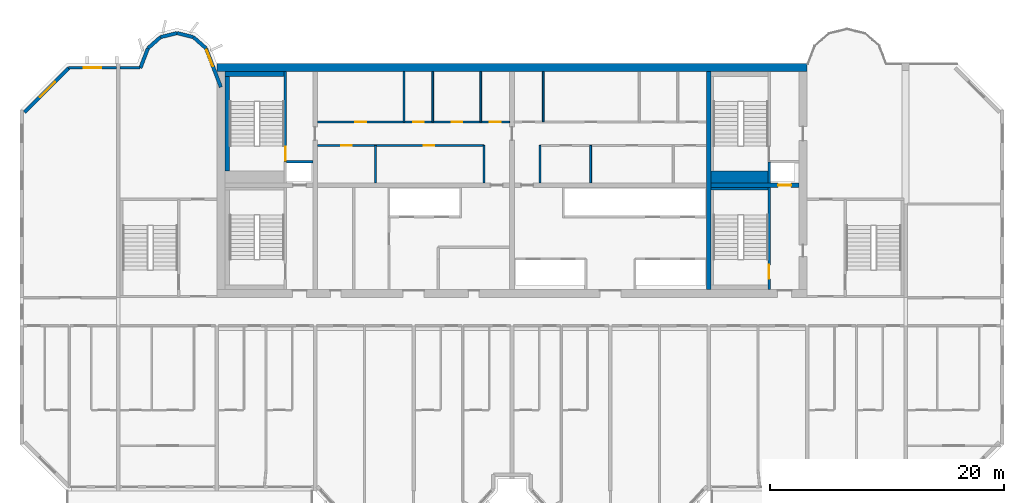
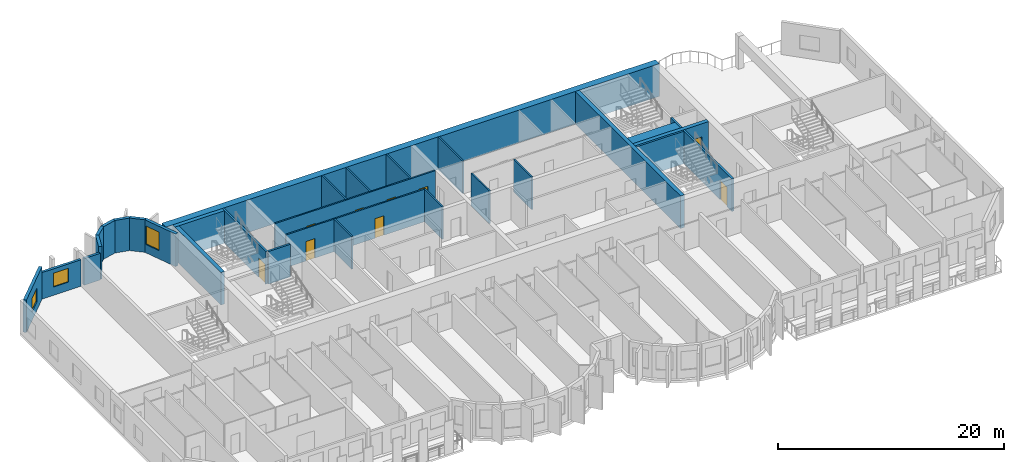
# One storey, part 7 of 13: 30 walls, 9 doors, 3 windows, 12 openings.
"""IFC4 building model written with IfcOpenShell, lengths in metres."""

from ifc_helpers import new_model, si_unit, direction, frame, frame_2d, origin, place, context, subcontext, project, spatial, rectangle, extrude, source, transform, mapped, material, layer, layer_set, type_object, element, fill, save


model = new_model("IFC4")

# Units and contexts
model_context = context("Model", 3, precision=1e-05, world=origin(), true_north=direction((0.0, 1.0)))
body_context = subcontext(model_context, "Body", "Model", "MODEL_VIEW")
ifc_project = project(units=[si_unit("LENGTHUNIT", "METRE"), si_unit("AREAUNIT", "SQUARE_METRE"), si_unit("VOLUMEUNIT", "CUBIC_METRE"), si_unit("PLANEANGLEUNIT", "RADIAN"), si_unit("MASSUNIT", "GRAM", prefix="KILO")], contexts=[model_context])

# Site, building, storey
site_placement = place(None, origin())
site = spatial("IfcSite", under=ifc_project, at=site_placement, CompositionType="ELEMENT")
building_placement = place(site_placement, origin())
building = spatial("IfcBuilding", under=site, at=building_placement, Name="Vanashikhar Sky Hotel", CompositionType="ELEMENT")
storey_placement = place(building_placement, frame((0.0, 0.0, 170.60009765625)))
storey = spatial("IfcBuildingStorey", under=building, at=storey_placement, Name="L41", CompositionType="ELEMENT", Elevation=170.60009765625)

# Walls
ifc_material_1 = material(Name="Concrete M60", Category="concrete")
ifc_layer_1 = layer(ifc_material_1, 0.39990234375)
ifc_layer_set_1 = layer_set([ifc_layer_1], Name="RC core inner wall 400 Concrete M60")
wall_type_1 = type_object("IfcWallType", Name="RC core inner wall 400 Concrete M60", PredefinedType="SHEAR", material=ifc_layer_set_1)
shared_shape_1 = source(origin(), body_context, "Body", "SweptSolid", [
    extrude(rectangle(XDim=18.60009765625, YDim=0.39990234375, at=frame_2d((9.300048828125, 0.0))), origin(), (0.0, 0.0, 1.0), 3.52001953125),
])
wall_1_placement = place(storey_placement, frame((67.199951171875, 22.699951171875, 0.0), z_axis=(0.0, 0.0, 1.0), x_axis=(0.0, 1.0, 0.0)))
element("IfcWall", 1, at=wall_1_placement, inside=storey, type_object=wall_type_1, Name="KW-L41-KX3", PredefinedType="SHEAR", context=body_context, shape_type="MappedRepresentation", body=[
    mapped(shared_shape_1, transform((0.0, 0.0, 0.0), scale=1.0)),
])
ifc_layer_2 = layer(ifc_material_1, 0.699951171875)
ifc_layer_set_2 = layer_set([ifc_layer_2], Name="RC core shell wall 700 Concrete M60")
wall_type_2 = type_object("IfcWallType", Name="RC core shell wall 700 Concrete M60", PredefinedType="SHEAR", material=ifc_layer_set_2)
shared_shape_2 = source(origin(), body_context, "Body", "SweptSolid", [
    extrude(rectangle(XDim=50.400146484375, YDim=0.699951171875, at=frame_2d((25.2001953125, 0.0))), origin(), (0.0, 0.0, 1.0), 3.52001953125),
])
wall_2_placement = place(storey_placement, frame((25.199951171875, 41.64990234375, 0.0), z_axis=(0.0, 0.0, 1.0), x_axis=(1.0, 0.0, 0.0)))
element("IfcWall", 2, at=wall_2_placement, inside=storey, type_object=wall_type_2, Name="KW-L41-KN", PredefinedType="SHEAR", context=body_context, shape_type="MappedRepresentation", body=[
    mapped(shared_shape_2, transform((0.0, 0.0, 0.0), scale=1.0)),
])

# Wall, opening, door
shared_shape_3 = source(origin(), body_context, "Body", "SweptSolid", [
    extrude(rectangle(XDim=7.5, YDim=0.39990234375, at=frame_2d((3.75, 0.0))), origin(), (0.0, 0.0, 1.0), 3.52001953125),
])
wall_3_placement = place(storey_placement, frame((67.39990234375, 31.60009765625, 0.0), z_axis=(0.0, 0.0, 1.0), x_axis=(1.0, 0.0, 0.0)))
wall_3 = element("IfcWall", 3, at=wall_3_placement, inside=storey, type_object=wall_type_1, Name="KW-L41-KY4", PredefinedType="SHEAR", context=body_context, shape_type="MappedRepresentation", body=[
    mapped(shared_shape_3, transform((0.0, 0.0, 0.0), scale=1.0)),
])
shared_shape_4 = source(origin(), body_context, "Body", "SweptSolid", [
    extrude(rectangle(XDim=1.10009765625, YDim=2.10009765625, at=frame_2d((0.550048828125, 1.050048828125))), frame((0.0, 0.2099609375, 0.0), z_axis=(0.0, -1.0, 0.0), x_axis=(1.0, 0.0, 0.0)), (0.0, 0.0, 1.0), 0.419921875),
])
opening_1_placement = place(wall_3_placement, frame((5.72509765625, 0.0, 0.0)))
opening_1 = element("IfcOpeningElement", 4, at=opening_1_placement, cuts=wall_3, Name="Opening LD", PredefinedType="OPENING", context=body_context, shape_type="MappedRepresentation", body=[
    mapped(shared_shape_4, transform((0.0, 0.0, 0.0), scale=1.0)),
])
ifc_material_2 = material(Name="Stainless steel", Category="steel")
door_type_1 = type_object("IfcDoorType", Name="Lift landing door 1100", OperationType="NOTDEFINED", PredefinedType="DOOR", material=ifc_material_2)
shared_shape_5 = source(origin(), body_context, "Body", "SweptSolid", [
    extrude(rectangle(XDim=1.10009765625, YDim=2.10009765625, at=frame_2d((0.550048828125, 1.050048828125))), frame((0.0, 0.02490234375, 0.0), z_axis=(0.0, -1.0, 0.0), x_axis=(1.0, 0.0, 0.0)), (0.0, 0.0, 1.0), 0.050048828125),
])
door_1_placement = place(opening_1_placement, origin())
door_1 = element("IfcDoor", 5, at=door_1_placement, inside=storey, type_object=door_type_1, Name="Lift landing door 1100", OperationType="SLIDING_TO_LEFT", OverallHeight=2.10009765625, OverallWidth=1.10009765625, PredefinedType="DOOR", context=body_context, shape_type="MappedRepresentation", body=[
    mapped(shared_shape_5, transform((0.0, 0.0, 0.0), scale=1.0)),
])
fill(opening_1, door_1)

# Wall, opening, window
ifc_material_3 = material(Name="Concrete M50", Category="concrete")
ifc_layer_3 = layer(ifc_material_3, 0.300048828125)
ifc_layer_set_3 = layer_set([ifc_layer_3], Name="Lobe wall 300")
wall_type_3 = type_object("IfcWallType", Name="Lobe wall 300", PredefinedType="SOLIDWALL", material=ifc_layer_set_3)
shared_shape_6 = source(origin(), body_context, "Body", "SweptSolid", [
    extrude(rectangle(XDim=5.32568359375, YDim=0.300048828125, at=frame_2d((2.662841796875, 0.0))), origin(), (0.0, 0.0, 1.0), 3.52001953125),
])
wall_4_placement = place(storey_placement, frame((12.565673828125, 41.60009765625, 0.0), z_axis=(0.0, 0.0, 1.0), x_axis=(-0.707083859269, -0.707129702361, 0.0)))
wall_4 = element("IfcWall", 6, at=wall_4_placement, inside=storey, type_object=wall_type_3, Name="Corner wall", PredefinedType="SOLIDWALL", context=body_context, shape_type="MappedRepresentation", body=[
    mapped(shared_shape_6, transform((0.0, 0.0, 0.0), scale=1.0)),
])
shared_shape_7 = source(origin(), body_context, "Body", "SweptSolid", [
    extrude(rectangle(XDim=1.800048828125, YDim=1.5, at=frame_2d((0.89990234375, 0.75))), frame((0.0, 0.16015625, 0.0), z_axis=(0.0, -1.0, 0.0), x_axis=(1.0, 0.0, 0.0)), (0.0, 0.0, 1.0), 0.320068359375),
])
opening_2_placement = place(wall_4_placement, frame((1.689453125, 0.0, 0.89990234375)))
opening_2 = element("IfcOpeningElement", 7, at=opening_2_placement, cuts=wall_4, Name="Opening WN-4", PredefinedType="OPENING", context=body_context, shape_type="MappedRepresentation", body=[
    mapped(shared_shape_7, transform((0.0, 0.0, 0.0), scale=1.0)),
])
ifc_material_4 = material(Name="Glass", Category="glass")
window_type_1 = type_object("IfcWindowType", Name="Corner window 1800 x 1500", PartitioningType="SINGLE_PANEL", PredefinedType="WINDOW", material=ifc_material_4)
shared_shape_8 = source(origin(), body_context, "Body", "SweptSolid", [
    extrude(rectangle(XDim=1.800048828125, YDim=1.5, at=frame_2d((0.89990234375, 0.75))), frame((0.0, 0.030029296875, 0.0), z_axis=(0.0, -1.0, 0.0), x_axis=(1.0, 0.0, 0.0)), (0.0, 0.0, 1.0), 0.06005859375),
])
window_1_placement = place(opening_2_placement, origin())
window_1 = element("IfcWindow", 8, at=window_1_placement, inside=storey, type_object=window_type_1, Name="Window WN-4", OverallHeight=1.5, OverallWidth=1.800048828125, PartitioningType="SINGLE_PANEL", PredefinedType="WINDOW", context=body_context, shape_type="MappedRepresentation", body=[
    mapped(shared_shape_8, transform((0.0, 0.0, 0.0), scale=1.0)),
])
fill(opening_2, window_1)

shared_shape_9 = source(origin(), body_context, "Body", "SweptSolid", [
    extrude(rectangle(XDim=3.55908203125, YDim=0.300048828125, at=frame_2d((1.779541015625, 0.0))), origin(), (0.0, 0.0, 1.0), 3.52001953125),
])
wall_5_placement = place(storey_placement, frame((25.550048828125, 39.968505859375, 0.0), z_axis=(0.0, 0.0, 1.0), x_axis=(-0.35779745313, 0.933799219604, 0.0)))
wall_5 = element("IfcWall", 9, at=wall_5_placement, inside=storey, type_object=wall_type_3, Name="Lobe wall", PredefinedType="SOLIDWALL", context=body_context, shape_type="MappedRepresentation", body=[
    mapped(shared_shape_9, transform((0.0, 0.0, 0.0), scale=1.0)),
])
shared_shape_10 = source(origin(), body_context, "Body", "SweptSolid", [
    extrude(rectangle(XDim=1.5, YDim=2.0, at=frame_2d((0.75, 1.0))), frame((0.0, 0.16015625, 0.0), z_axis=(0.0, -1.0, 0.0), x_axis=(1.0, 0.0, 0.0)), (0.0, 0.0, 1.0), 0.320068359375),
])
opening_3_placement = place(wall_5_placement, frame((1.9033203125, 0.0, 0.89990234375)))
opening_3 = element("IfcOpeningElement", 10, at=opening_3_placement, cuts=wall_5, Name="Opening WN-2", PredefinedType="OPENING", context=body_context, shape_type="MappedRepresentation", body=[
    mapped(shared_shape_10, transform((0.0, 0.0, 0.0), scale=1.0)),
])
window_type_2 = type_object("IfcWindowType", Name="Lobe window 1500 x 2000", PartitioningType="SINGLE_PANEL", PredefinedType="WINDOW", material=ifc_material_4)
shared_shape_11 = source(origin(), body_context, "Body", "SweptSolid", [
    extrude(rectangle(XDim=1.5, YDim=2.0, at=frame_2d((0.75, 1.0))), frame((0.0, 0.030029296875, 0.0), z_axis=(0.0, -1.0, 0.0), x_axis=(1.0, 0.0, 0.0)), (0.0, 0.0, 1.0), 0.06005859375),
])
window_2_placement = place(opening_3_placement, origin())
window_2 = element("IfcWindow", 11, at=window_2_placement, inside=storey, type_object=window_type_2, Name="Window WN-2", OverallHeight=2.0, OverallWidth=1.5, PartitioningType="SINGLE_PANEL", PredefinedType="WINDOW", context=body_context, shape_type="MappedRepresentation", body=[
    mapped(shared_shape_11, transform((0.0, 0.0, 0.0), scale=1.0)),
])
fill(opening_3, window_2)

# Walls
shared_shape_12 = source(origin(), body_context, "Body", "SweptSolid", [
    extrude(rectangle(XDim=1.440185546875, YDim=0.300048828125, at=frame_2d((0.72021484375, 0.0))), origin(), (0.0, 0.0, 1.0), 3.52001953125),
])
wall_6_placement = place(storey_placement, frame((24.276611328125, 43.2919921875, 0.0), z_axis=(0.0, 0.0, 1.0), x_axis=(-0.749649827867, 0.661834673902, 0.0)))
element("IfcWall", 12, at=wall_6_placement, inside=storey, type_object=wall_type_3, Name="Lobe wall", PredefinedType="SOLIDWALL", context=body_context, shape_type="MappedRepresentation", body=[
    mapped(shared_shape_12, transform((0.0, 0.0, 0.0), scale=1.0)),
])
shared_shape_13 = source(origin(), body_context, "Body", "SweptSolid", [
    extrude(rectangle(XDim=1.4384765625, YDim=0.300048828125, at=frame_2d((0.71923828125, 0.0))), origin(), (0.0, 0.0, 1.0), 3.52001953125),
])
wall_7_placement = place(storey_placement, frame((23.197021484375, 44.2451171875, 0.0), z_axis=(0.0, 0.0, 1.0), x_axis=(-0.971152283879, 0.238460146601, 0.0)))
element("IfcWall", 13, at=wall_7_placement, inside=storey, type_object=wall_type_3, Name="Lobe wall", PredefinedType="SOLIDWALL", context=body_context, shape_type="MappedRepresentation", body=[
    mapped(shared_shape_13, transform((0.0, 0.0, 0.0), scale=1.0)),
])
shared_shape_14 = source(origin(), body_context, "Body", "SweptSolid", [
    extrude(rectangle(XDim=1.438720703125, YDim=0.300048828125, at=frame_2d((0.71923828125, 0.0))), origin(), (0.0, 0.0, 1.0), 3.52001953125),
])
wall_8_placement = place(storey_placement, frame((21.800048828125, 44.588134765625, 0.0), z_axis=(0.0, 0.0, 1.0), x_axis=(-0.971161932466, -0.238420848351, 0.0)))
element("IfcWall", 14, at=wall_8_placement, inside=storey, type_object=wall_type_3, Name="Lobe wall", PredefinedType="SOLIDWALL", context=body_context, shape_type="MappedRepresentation", body=[
    mapped(shared_shape_14, transform((0.0, 0.0, 0.0), scale=1.0)),
])
shared_shape_15 = source(origin(), body_context, "Body", "SweptSolid", [
    extrude(rectangle(XDim=1.43994140625, YDim=0.300048828125, at=frame_2d((0.719970703125, 0.0))), origin(), (0.0, 0.0, 1.0), 3.52001953125),
])
wall_9_placement = place(storey_placement, frame((20.40283203125, 44.2451171875, 0.0), z_axis=(0.0, 0.0, 1.0), x_axis=(-0.74957555648, -0.661918790432, 0.0)))
element("IfcWall", 15, at=wall_9_placement, inside=storey, type_object=wall_type_3, Name="Lobe wall", PredefinedType="SOLIDWALL", context=body_context, shape_type="MappedRepresentation", body=[
    mapped(shared_shape_15, transform((0.0, 0.0, 0.0), scale=1.0)),
])
shared_shape_16 = source(origin(), body_context, "Body", "SweptSolid", [
    extrude(rectangle(XDim=1.81201171875, YDim=0.300048828125, at=frame_2d((0.906005859375, 0.0))), origin(), (0.0, 0.0, 1.0), 3.52001953125),
])
wall_10_placement = place(storey_placement, frame((19.323486328125, 43.2919921875, 0.0), z_axis=(0.0, 0.0, 1.0), x_axis=(-0.357877270961, -0.93376863244, 0.0)))
element("IfcWall", 16, at=wall_10_placement, inside=storey, type_object=wall_type_3, Name="Lobe wall", PredefinedType="SOLIDWALL", context=body_context, shape_type="MappedRepresentation", body=[
    mapped(shared_shape_16, transform((0.0, 0.0, 0.0), scale=1.0)),
])
ifc_layer_4 = layer(ifc_material_3, 0.25)
ifc_layer_set_4 = layer_set([ifc_layer_4], Name="Rear and end board-marked wall 250")
wall_type_4 = type_object("IfcWallType", Name="Rear and end board-marked wall 250", PredefinedType="SOLIDWALL", material=ifc_layer_set_4)
shared_shape_17 = source(origin(), body_context, "Body", "SweptSolid", [
    extrude(rectangle(XDim=1.7080078125, YDim=0.25, at=frame_2d((0.85400390625, 0.0))), origin(), (0.0, 0.0, 1.0), 2.869873046875),
])
wall_11_placement = place(storey_placement, frame((18.657958984375, 41.625, 0.0), z_axis=(0.0, 0.0, 1.0), x_axis=(-1.0, 0.0, 0.0)))
element("IfcWall", 17, at=wall_11_placement, inside=storey, type_object=wall_type_4, Name="Rear board-marked wall", PredefinedType="SOLIDWALL", context=body_context, shape_type="MappedRepresentation", body=[
    mapped(shared_shape_17, transform((0.0, 0.0, 0.0), scale=1.0)),
])

# Wall, opening, window
shared_shape_18 = source(origin(), body_context, "Body", "SweptSolid", [
    extrude(rectangle(XDim=4.094482421875, YDim=0.25, at=frame_2d((2.04736328125, 0.0))), origin(), (0.0, 0.0, 1.0), 2.869873046875),
])
wall_12_placement = place(storey_placement, frame((16.64990234375, 41.625, 0.0), z_axis=(0.0, 0.0, 1.0), x_axis=(-1.0, 0.0, 0.0)))
wall_12 = element("IfcWall", 18, at=wall_12_placement, inside=storey, type_object=wall_type_4, Name="Rear board-marked wall", PredefinedType="SOLIDWALL", context=body_context, shape_type="MappedRepresentation", body=[
    mapped(shared_shape_18, transform((0.0, 0.0, 0.0), scale=1.0)),
])
shared_shape_19 = source(origin(), body_context, "Body", "SweptSolid", [
    extrude(rectangle(XDim=1.5, YDim=1.5, at=frame_2d((0.75, 0.75))), frame((0.0, 0.135009765625, 0.0), z_axis=(0.0, -1.0, 0.0), x_axis=(1.0, 0.0, 0.0)), (0.0, 0.0, 1.0), 0.27001953125),
])
opening_4_placement = place(wall_12_placement, frame((1.29736328125, 0.0, 0.89990234375)))
opening_4 = element("IfcOpeningElement", 19, at=opening_4_placement, cuts=wall_12, Name="Opening WN-1", PredefinedType="OPENING", context=body_context, shape_type="MappedRepresentation", body=[
    mapped(shared_shape_19, transform((0.0, 0.0, 0.0), scale=1.0)),
])
window_type_3 = type_object("IfcWindowType", Name="Window 1500 x 1500", PartitioningType="SINGLE_PANEL", PredefinedType="WINDOW", material=ifc_material_4)
shared_shape_20 = source(origin(), body_context, "Body", "SweptSolid", [
    extrude(rectangle(XDim=1.5, YDim=1.5, at=frame_2d((0.75, 0.75))), frame((0.0, 0.030029296875, 0.0), z_axis=(0.0, -1.0, 0.0), x_axis=(1.0, 0.0, 0.0)), (0.0, 0.0, 1.0), 0.06005859375),
])
window_3_placement = place(opening_4_placement, origin())
window_3 = element("IfcWindow", 20, at=window_3_placement, inside=storey, type_object=window_type_3, Name="Window WN-1", OverallHeight=1.5, OverallWidth=1.5, PartitioningType="SINGLE_PANEL", PredefinedType="WINDOW", context=body_context, shape_type="MappedRepresentation", body=[
    mapped(shared_shape_20, transform((0.0, 0.0, 0.0), scale=1.0)),
])
fill(opening_4, window_3)

# Walls
ifc_material_5 = material(Name="Concrete M40", Category="concrete")
ifc_layer_5 = layer(ifc_material_5, 0.199951171875)
ifc_layer_set_5 = layer_set([ifc_layer_5], Name="Shaft wall 200")
wall_type_5 = type_object("IfcWallType", Name="Shaft wall 200", PredefinedType="SOLIDWALL", material=ifc_layer_set_5)
shared_shape_21 = source(origin(), body_context, "Body", "SweptSolid", [
    extrude(rectangle(XDim=2.25, YDim=0.199951171875, at=frame_2d((1.125, 0.0))), origin(), (0.0, 0.0, 1.0), 3.52001953125),
])
wall_13_placement = place(storey_placement, frame((31.14990234375, 33.60009765625, 0.0), z_axis=(0.0, 0.0, 1.0), x_axis=(1.0, 0.0, 0.0)))
element("IfcWall", 21, at=wall_13_placement, inside=storey, type_object=wall_type_5, Name="Shaft wall 200", PredefinedType="SOLIDWALL", context=body_context, shape_type="MappedRepresentation", body=[
    mapped(shared_shape_21, transform((0.0, 0.0, 0.0), scale=1.0)),
])
ifc_material_6 = material(Name="Gypsum board partition")
ifc_layer_6 = layer(ifc_material_6, 0.14990234375)
ifc_layer_set_6 = layer_set([ifc_layer_6], Name="Service partition 150")
wall_type_6 = type_object("IfcWallType", Name="Service partition 150", PredefinedType="PARTITIONING", material=ifc_layer_set_6)
shared_shape_22 = source(origin(), body_context, "Body", "SweptSolid", [
    extrude(rectangle(XDim=3.199951171875, YDim=0.14990234375, at=frame_2d((1.60009765625, 0.0))), origin(), (0.0, 0.0, 1.0), 3.52001953125),
])
for number, where, z_axis, x_axis, name in (
    (22, (48.0, 31.800048828125, 0.0), (0.0, 0.0, 1.0), (0.0, 1.0, 0.0), "Service partition 150"),
    (23, (38.743896484375, 31.800048828125, 0.0), (0.0, 0.0, 1.0), (0.0, 1.0, 0.0), "Service partition 150"),
    (24, (52.800048828125, 31.800048828125, 0.0), (0.0, 0.0, 1.0), (0.0, 1.0, 0.0), "Service partition 150"),
    (25, (57.112060546875, 31.800048828125, 0.0), (0.0, 0.0, 1.0), (0.0, 1.0, 0.0), "Service partition 150"),
):
    element("IfcWall", number, at=place(storey_placement, frame(where, z_axis=z_axis, x_axis=x_axis)), inside=storey, type_object=wall_type_6, Name=name, PredefinedType="PARTITIONING", context=body_context, shape_type="MappedRepresentation", body=[
        mapped(shared_shape_22, transform((0.0, 0.0, 0.0), scale=1.0)),
    ])

# Wall, openings, doors
shared_shape_23 = source(origin(), body_context, "Body", "SweptSolid", [
    extrude(rectangle(XDim=14.199951171875, YDim=0.14990234375, at=frame_2d((7.10009765625, 0.0))), origin(), (0.0, 0.0, 1.0), 3.52001953125),
])
wall_14_placement = place(storey_placement, frame((33.800048828125, 35.0, 0.0), z_axis=(0.0, 0.0, 1.0), x_axis=(1.0, 0.0, 0.0)))
wall_14 = element("IfcWall", 26, at=wall_14_placement, inside=storey, type_object=wall_type_6, Name="Service partition 150", PredefinedType="PARTITIONING", context=body_context, shape_type="MappedRepresentation", body=[
    mapped(shared_shape_23, transform((0.0, 0.0, 0.0), scale=1.0)),
])
shared_shape_24 = source(origin(), body_context, "Body", "SweptSolid", [
    extrude(rectangle(XDim=0.89990234375, YDim=2.10009765625, at=frame_2d((0.449951171875, 1.050048828125))), frame((0.0, 0.0849609375, 0.0), z_axis=(0.0, -1.0, 0.0), x_axis=(1.0, 0.0, 0.0)), (0.0, 0.0, 1.0), 0.169921875),
])
opening_5_placement = place(wall_14_placement, frame((2.02197265625, 0.0, 0.0)))
opening_5 = element("IfcOpeningElement", 27, at=opening_5_placement, cuts=wall_14, Name="Opening DC-4-A", PredefinedType="OPENING", context=body_context, shape_type="MappedRepresentation", body=[
    mapped(shared_shape_24, transform((0.0, 0.0, 0.0), scale=1.0)),
])
opening_6_placement = place(wall_14_placement, frame((9.083984375, 0.0, 0.0)))
opening_6 = element("IfcOpeningElement", 28, at=opening_6_placement, cuts=wall_14, Name="Opening DC-4-A", PredefinedType="OPENING", context=body_context, shape_type="MappedRepresentation", body=[
    mapped(shared_shape_24, transform((0.0, 0.0, 0.0), scale=1.0)),
])
ifc_material_7 = material(Name="Steel", Category="steel")
door_type_2 = type_object("IfcDoorType", Name="Service door 900 FD60", OperationType="NOTDEFINED", PredefinedType="DOOR", material=ifc_material_7)
shared_shape_25 = source(origin(), body_context, "Body", "SweptSolid", [
    extrude(rectangle(XDim=0.89990234375, YDim=2.10009765625, at=frame_2d((0.449951171875, 1.050048828125))), frame((0.0, 0.02490234375, 0.0), z_axis=(0.0, -1.0, 0.0), x_axis=(1.0, 0.0, 0.0)), (0.0, 0.0, 1.0), 0.050048828125),
])
door_2_placement = place(opening_5_placement, origin())
door_2 = element("IfcDoor", 29, at=door_2_placement, inside=storey, type_object=door_type_2, Name="Service door 900 FD60", OperationType="SINGLE_SWING_LEFT", OverallHeight=2.10009765625, OverallWidth=0.89990234375, PredefinedType="DOOR", context=body_context, shape_type="MappedRepresentation", body=[
    mapped(shared_shape_25, transform((0.0, 0.0, 0.0), scale=1.0)),
])
fill(opening_5, door_2)
door_3_placement = place(opening_6_placement, origin())
door_3 = element("IfcDoor", 30, at=door_3_placement, inside=storey, type_object=door_type_2, Name="Service door 900 FD60", OperationType="SINGLE_SWING_RIGHT", OverallHeight=2.10009765625, OverallWidth=0.89990234375, PredefinedType="DOOR", context=body_context, shape_type="MappedRepresentation", body=[
    mapped(shared_shape_25, transform((0.0, 0.0, 0.0), scale=1.0)),
])
fill(opening_6, door_3)

shared_shape_26 = source(origin(), body_context, "Body", "SweptSolid", [
    extrude(rectangle(XDim=16.39990234375, YDim=0.14990234375, at=frame_2d((8.199951171875, 0.0))), origin(), (0.0, 0.0, 1.0), 3.52001953125),
])
wall_15_placement = place(storey_placement, frame((33.800048828125, 37.0, 0.0), z_axis=(0.0, 0.0, 1.0), x_axis=(1.0, 0.0, 0.0)))
wall_15 = element("IfcWall", 31, at=wall_15_placement, inside=storey, type_object=wall_type_6, Name="Service partition 150", PredefinedType="PARTITIONING", context=body_context, shape_type="MappedRepresentation", body=[
    mapped(shared_shape_26, transform((0.0, 0.0, 0.0), scale=1.0)),
])
opening_7_placement = place(wall_15_placement, frame((3.239990234375, 0.0, 0.0)))
opening_7 = element("IfcOpeningElement", 32, at=opening_7_placement, cuts=wall_15, Name="Opening DC-4-A", PredefinedType="OPENING", context=body_context, shape_type="MappedRepresentation", body=[
    mapped(shared_shape_24, transform((0.0, 0.0, 0.0), scale=1.0)),
])
opening_8_placement = place(wall_15_placement, frame((8.159912109375, 0.0, 0.0)))
opening_8 = element("IfcOpeningElement", 33, at=opening_8_placement, cuts=wall_15, Name="Opening DC-4-A", PredefinedType="OPENING", context=body_context, shape_type="MappedRepresentation", body=[
    mapped(shared_shape_24, transform((0.0, 0.0, 0.0), scale=1.0)),
])
opening_9_placement = place(wall_15_placement, frame((11.43994140625, 0.0, 0.0)))
opening_9 = element("IfcOpeningElement", 34, at=opening_9_placement, cuts=wall_15, Name="Opening DC-4-A", PredefinedType="OPENING", context=body_context, shape_type="MappedRepresentation", body=[
    mapped(shared_shape_24, transform((0.0, 0.0, 0.0), scale=1.0)),
])
opening_10_placement = place(wall_15_placement, frame((14.719970703125, 0.0, 0.0)))
opening_10 = element("IfcOpeningElement", 35, at=opening_10_placement, cuts=wall_15, Name="Opening DC-4-A", PredefinedType="OPENING", context=body_context, shape_type="MappedRepresentation", body=[
    mapped(shared_shape_24, transform((0.0, 0.0, 0.0), scale=1.0)),
])
door_4_placement = place(opening_7_placement, origin())
door_4 = element("IfcDoor", 36, at=door_4_placement, inside=storey, type_object=door_type_2, Name="Service door 900 FD60", OperationType="SINGLE_SWING_LEFT", OverallHeight=2.10009765625, OverallWidth=0.89990234375, PredefinedType="DOOR", context=body_context, shape_type="MappedRepresentation", body=[
    mapped(shared_shape_25, transform((0.0, 0.0, 0.0), scale=1.0)),
])
fill(opening_7, door_4)
door_5_placement = place(opening_8_placement, origin())
door_5 = element("IfcDoor", 37, at=door_5_placement, inside=storey, type_object=door_type_2, Name="Service door 900 FD60", OperationType="SINGLE_SWING_LEFT", OverallHeight=2.10009765625, OverallWidth=0.89990234375, PredefinedType="DOOR", context=body_context, shape_type="MappedRepresentation", body=[
    mapped(shared_shape_25, transform((0.0, 0.0, 0.0), scale=1.0)),
])
fill(opening_8, door_5)
door_6_placement = place(opening_9_placement, origin())
door_6 = element("IfcDoor", 38, at=door_6_placement, inside=storey, type_object=door_type_2, Name="Service door 900 FD60", OperationType="SINGLE_SWING_LEFT", OverallHeight=2.10009765625, OverallWidth=0.89990234375, PredefinedType="DOOR", context=body_context, shape_type="MappedRepresentation", body=[
    mapped(shared_shape_25, transform((0.0, 0.0, 0.0), scale=1.0)),
])
fill(opening_9, door_6)
door_7_placement = place(opening_10_placement, origin())
door_7 = element("IfcDoor", 39, at=door_7_placement, inside=storey, type_object=door_type_2, Name="Service door 900 FD60", OperationType="SINGLE_SWING_LEFT", OverallHeight=2.10009765625, OverallWidth=0.89990234375, PredefinedType="DOOR", context=body_context, shape_type="MappedRepresentation", body=[
    mapped(shared_shape_25, transform((0.0, 0.0, 0.0), scale=1.0)),
])
fill(opening_10, door_7)

# Walls
shared_shape_27 = source(origin(), body_context, "Body", "SweptSolid", [
    extrude(rectangle(XDim=4.300048828125, YDim=0.14990234375, at=frame_2d((2.14990234375, 0.0))), origin(), (0.0, 0.0, 1.0), 3.52001953125),
])
for number, where, z_axis, x_axis, name in (
    (40, (41.179931640625, 37.0, 0.0), (0.0, 0.0, 1.0), (0.0, 1.0, 0.0), "Service partition 150"),
    (41, (43.639892578125, 37.0, 0.0), (0.0, 0.0, 1.0), (0.0, 1.0, 0.0), "Service partition 150"),
    (42, (47.739990234375, 37.0, 0.0), (0.0, 0.0, 1.0), (0.0, 1.0, 0.0), "Service partition 150"),
    (43, (53.06005859375, 37.0, 0.0), (0.0, 0.0, 1.0), (0.0, 1.0, 0.0), "Service partition 150"),
):
    element("IfcWall", number, at=place(storey_placement, frame(where, z_axis=z_axis, x_axis=x_axis)), inside=storey, type_object=wall_type_6, Name=name, PredefinedType="PARTITIONING", context=body_context, shape_type="MappedRepresentation", body=[
        mapped(shared_shape_27, transform((0.0, 0.0, 0.0), scale=1.0)),
    ])

# Wall, opening, door
ifc_layer_7 = layer(ifc_material_3, 0.199951171875)
ifc_layer_set_7 = layer_set([ifc_layer_7], Name="Stair wall 200")
wall_type_7 = type_object("IfcWallType", Name="Stair wall 200", PredefinedType="SOLIDWALL", material=ifc_layer_set_7)
shared_shape_28 = source(origin(), body_context, "Body", "SweptSolid", [
    extrude(rectangle(XDim=8.699951171875, YDim=0.199951171875, at=frame_2d((4.35009765625, 0.0))), origin(), (0.0, 0.0, 1.0), 3.52001953125),
])
wall_16_placement = place(storey_placement, frame((72.35009765625, 22.699951171875, 0.0), z_axis=(0.0, 0.0, 1.0), x_axis=(0.0, 1.0, 0.0)))
wall_16 = element("IfcWall", 44, at=wall_16_placement, inside=storey, type_object=wall_type_7, Name="Stair wall 200", PredefinedType="SOLIDWALL", context=body_context, shape_type="MappedRepresentation", body=[
    mapped(shared_shape_28, transform((0.0, 0.0, 0.0), scale=1.0)),
])
shared_shape_29 = source(origin(), body_context, "Body", "SweptSolid", [
    extrude(rectangle(XDim=1.199951171875, YDim=2.10009765625, at=frame_2d((0.60009765625, 1.050048828125))), frame((0.0, 0.10986328125, 0.0), z_axis=(0.0, -1.0, 0.0), x_axis=(1.0, 0.0, 0.0)), (0.0, 0.0, 1.0), 0.219970703125),
])
opening_11_placement = place(wall_16_placement, frame((0.89990234375, 0.0, 0.0)))
opening_11 = element("IfcOpeningElement", 45, at=opening_11_placement, cuts=wall_16, Name="Opening DC-1", PredefinedType="OPENING", context=body_context, shape_type="MappedRepresentation", body=[
    mapped(shared_shape_29, transform((0.0, 0.0, 0.0), scale=1.0)),
])
door_type_3 = type_object("IfcDoorType", Name="Stair door 1200 FD120", OperationType="NOTDEFINED", PredefinedType="DOOR", material=ifc_material_7)
shared_shape_30 = source(origin(), body_context, "Body", "SweptSolid", [
    extrude(rectangle(XDim=1.199951171875, YDim=2.10009765625, at=frame_2d((0.60009765625, 1.050048828125))), frame((0.0, 0.02490234375, 0.0), z_axis=(0.0, -1.0, 0.0), x_axis=(1.0, 0.0, 0.0)), (0.0, 0.0, 1.0), 0.050048828125),
])
door_8_placement = place(opening_11_placement, origin())
door_8 = element("IfcDoor", 46, at=door_8_placement, inside=storey, type_object=door_type_3, Name="Stair door 1200 FD120", OperationType="SINGLE_SWING_LEFT", OverallHeight=2.10009765625, OverallWidth=1.199951171875, PredefinedType="DOOR", context=body_context, shape_type="MappedRepresentation", body=[
    mapped(shared_shape_30, transform((0.0, 0.0, 0.0), scale=1.0)),
])
fill(opening_11, door_8)

# Wall
shared_shape_31 = source(origin(), body_context, "Body", "SweptSolid", [
    extrude(rectangle(XDim=1.800048828125, YDim=0.199951171875, at=frame_2d((0.89990234375, 0.0))), origin(), (0.0, 0.0, 1.0), 3.52001953125),
])
wall_17_placement = place(storey_placement, frame((72.35009765625, 31.800048828125, 0.0), z_axis=(0.0, 0.0, 1.0), x_axis=(0.0, 1.0, 0.0)))
element("IfcWall", 47, at=wall_17_placement, inside=storey, type_object=wall_type_5, Name="Shaft wall 200", PredefinedType="SOLIDWALL", context=body_context, shape_type="MappedRepresentation", body=[
    mapped(shared_shape_31, transform((0.0, 0.0, 0.0), scale=1.0)),
])

# Wall, opening, door
shared_shape_32 = source(origin(), body_context, "Body", "SweptSolid", [
    extrude(rectangle(XDim=7.699951171875, YDim=0.199951171875, at=frame_2d((3.85009765625, 0.0))), origin(), (0.0, 0.0, 1.0), 3.52001953125),
])
wall_18_placement = place(storey_placement, frame((31.050048828125, 33.60009765625, 0.0), z_axis=(0.0, 0.0, 1.0), x_axis=(0.0, 1.0, 0.0)))
wall_18 = element("IfcWall", 48, at=wall_18_placement, inside=storey, type_object=wall_type_7, Name="Stair wall 200", PredefinedType="SOLIDWALL", context=body_context, shape_type="MappedRepresentation", body=[
    mapped(shared_shape_32, transform((0.0, 0.0, 0.0), scale=1.0)),
])
opening_12_placement = place(wall_18_placement, frame((0.10009765625, 0.0, 0.0)))
opening_12 = element("IfcOpeningElement", 49, at=opening_12_placement, cuts=wall_18, Name="Opening DC-1", PredefinedType="OPENING", context=body_context, shape_type="MappedRepresentation", body=[
    mapped(shared_shape_29, transform((0.0, 0.0, 0.0), scale=1.0)),
])
door_9_placement = place(opening_12_placement, origin())
door_9 = element("IfcDoor", 50, at=door_9_placement, inside=storey, type_object=door_type_3, Name="Stair door 1200 FD120", OperationType="SINGLE_SWING_LEFT", OverallHeight=2.10009765625, OverallWidth=1.199951171875, PredefinedType="DOOR", context=body_context, shape_type="MappedRepresentation", body=[
    mapped(shared_shape_30, transform((0.0, 0.0, 0.0), scale=1.0)),
])
fill(opening_12, door_9)

# Walls
ifc_layer_8 = layer(ifc_material_3, 0.39990234375)
ifc_layer_set_8 = layer_set([ifc_layer_8], Name="Stair infill wall 400")
wall_type_8 = type_object("IfcWallType", Name="Stair infill wall 400", PredefinedType="SOLIDWALL", material=ifc_layer_set_8)
shared_shape_33 = source(origin(), body_context, "Body", "SweptSolid", [
    extrude(rectangle(XDim=5.050048828125, YDim=0.39990234375, at=frame_2d((2.52490234375, 0.0))), origin(), (0.0, 0.0, 1.0), 3.52001953125),
])
wall_19_placement = place(storey_placement, frame((25.89990234375, 41.10009765625, 0.0), z_axis=(0.0, 0.0, 1.0), x_axis=(1.0, 0.0, 0.0)))
element("IfcWall", 51, at=wall_19_placement, inside=storey, type_object=wall_type_8, Name="Stair infill wall 400", PredefinedType="SOLIDWALL", context=body_context, shape_type="MappedRepresentation", body=[
    mapped(shared_shape_33, transform((0.0, 0.0, 0.0), scale=1.0)),
])
shared_shape_34 = source(origin(), body_context, "Body", "SweptSolid", [
    extrude(rectangle(XDim=8.099853515625, YDim=0.39990234375, at=frame_2d((4.0498046875, 0.0))), origin(), (0.0, 0.0, 1.0), 3.52001953125),
])
wall_20_placement = place(storey_placement, frame((26.10009765625, 32.800048828125, 0.0), z_axis=(0.0, 0.0, 1.0), x_axis=(0.0, 1.0, 0.0)))
element("IfcWall", 52, at=wall_20_placement, inside=storey, type_object=wall_type_8, Name="Stair infill wall 400", PredefinedType="SOLIDWALL", context=body_context, shape_type="MappedRepresentation", body=[
    mapped(shared_shape_34, transform((0.0, 0.0, 0.0), scale=1.0)),
])
ifc_layer_9 = layer(ifc_material_3, 0.199951171875)
ifc_layer_set_9 = layer_set([ifc_layer_9], Name="Stair infill wall 200")
wall_type_9 = type_object("IfcWallType", Name="Stair infill wall 200", PredefinedType="SOLIDWALL", material=ifc_layer_set_9)
shared_shape_35 = source(origin(), body_context, "Body", "SweptSolid", [
    extrude(rectangle(XDim=4.85009765625, YDim=0.199951171875, at=frame_2d((2.425048828125, 0.0))), origin(), (0.0, 0.0, 1.0), 3.52001953125),
])
wall_21_placement = place(storey_placement, frame((67.39990234375, 31.300048828125, 0.0), z_axis=(0.0, 0.0, 1.0), x_axis=(1.0, 0.0, 0.0)))
element("IfcWall", 53, at=wall_21_placement, inside=storey, type_object=wall_type_9, Name="Stair infill wall 200", PredefinedType="SOLIDWALL", context=body_context, shape_type="MappedRepresentation", body=[
    mapped(shared_shape_35, transform((0.0, 0.0, 0.0), scale=1.0)),
])
ifc_layer_10 = layer(ifc_material_3, 1.0)
ifc_layer_set_10 = layer_set([ifc_layer_10], Name="Stair infill wall 1000")
wall_type_10 = type_object("IfcWallType", Name="Stair infill wall 1000", PredefinedType="SOLIDWALL", material=ifc_layer_set_10)
shared_shape_36 = source(origin(), body_context, "Body", "SweptSolid", [
    extrude(rectangle(XDim=4.85009765625, YDim=1.0, at=frame_2d((2.425048828125, 0.0))), origin(), (0.0, 0.0, 1.0), 3.52001953125),
])
wall_22_placement = place(storey_placement, frame((67.39990234375, 32.300048828125, 0.0), z_axis=(0.0, 0.0, 1.0), x_axis=(1.0, 0.0, 0.0)))
element("IfcWall", 54, at=wall_22_placement, inside=storey, type_object=wall_type_10, Name="Stair infill wall 1000", PredefinedType="SOLIDWALL", context=body_context, shape_type="MappedRepresentation", body=[
    mapped(shared_shape_36, transform((0.0, 0.0, 0.0), scale=1.0)),
])

save(model, "model.ifc")
